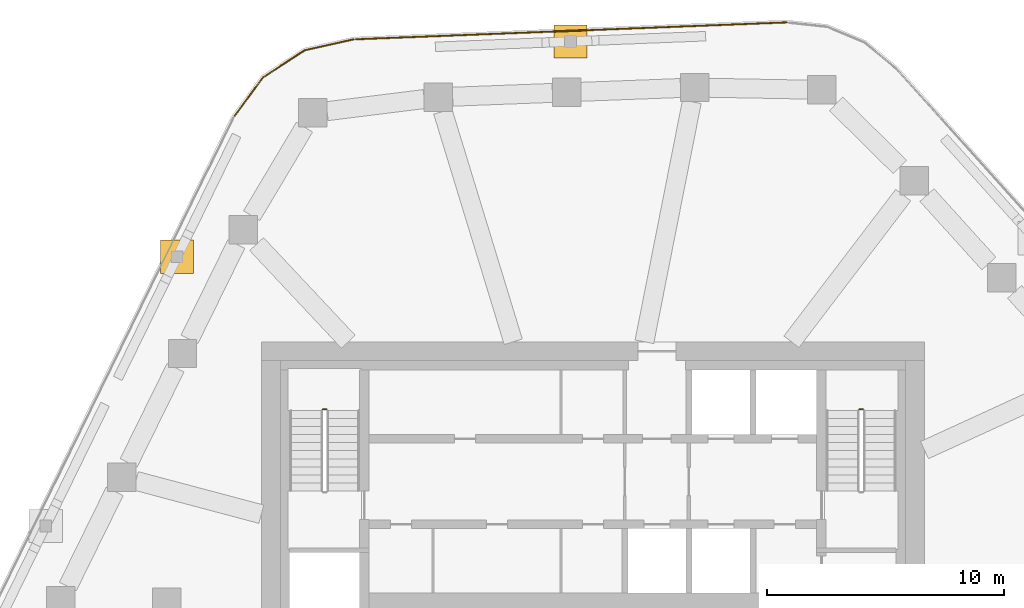
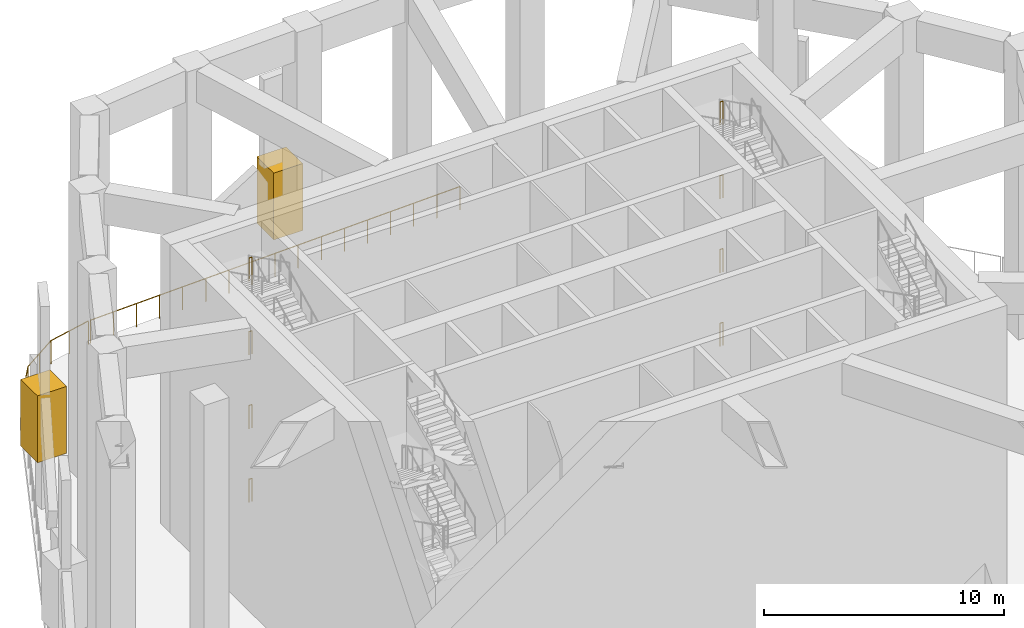
# One storey, part 11 of 12: 10 railings, 2 coverings.
"""IFC4 building model written with IfcOpenShell, lengths in metres."""

from ifc_helpers import new_model, si_unit, direction, frame, origin, origin_2d, place, context, subcontext, project, spatial, rectangle, circle, extrude, material, material_profile, profile_set, type_object, element, save


model = new_model("IFC4")

# Units and contexts
model_context = context("Model", 3, precision=1e-05, world=origin(), true_north=direction((0.0, 1.0)))
body_context = subcontext(model_context, "Body", "Model", "MODEL_VIEW")
ifc_project = project(units=[si_unit("LENGTHUNIT", "METRE"), si_unit("AREAUNIT", "SQUARE_METRE"), si_unit("VOLUMEUNIT", "CUBIC_METRE"), si_unit("PLANEANGLEUNIT", "RADIAN"), si_unit("MASSUNIT", "GRAM", prefix="KILO")], contexts=[model_context])

# Site, building, storey
site_placement = place(None, origin())
site = spatial("IfcSite", under=ifc_project, at=site_placement, CompositionType="ELEMENT")
building_placement = place(site_placement, origin())
building = spatial("IfcBuilding", under=site, at=building_placement, Name="Dongbaek Canopy Tower", CompositionType="ELEMENT")
storey_placement = place(building_placement, frame((0.0, 0.0, 183.800048828125)))
storey = spatial("IfcBuildingStorey", under=building, at=storey_placement, Name="L40", CompositionType="ELEMENT", Elevation=183.800048828125)

# Railings
ifc_material_1 = material(Name="Stainless steel", Category="steel")
railing_type_1 = type_object("IfcRailingType", Name="Slot guard 1200", PredefinedType="GUARDRAIL", material=ifc_material_1)
railing_1_placement = place(storey_placement, frame((8.177490234375, 24.48486328125, 0.0)))
element("IfcRailing", 1, at=railing_1_placement, inside=storey, type_object=railing_type_1, Name="Slot guard L40 F1", PredefinedType="GUARDRAIL", context=body_context, shape_type="SweptSolid", body=[
    extrude(circle(Radius=0.02392578125, at=origin_2d()), frame((0.0, 0.0, 1.17578125), z_axis=(-0.999231693179, -0.039192133737, 0.0), x_axis=(0.039192133737, -0.999231693179, 0.0)), (0.0, 0.0, 1.0), 18.19580078125),
    extrude(circle(Radius=0.02099609375, at=origin_2d()), origin(), (0.0, 0.0, 1.0), 1.15185546875),
    extrude(circle(Radius=0.02099609375, at=origin_2d()), frame((-1.136474609375, -0.044677734375, 0.0)), (0.0, 0.0, 1.0), 1.15185546875),
    extrude(circle(Radius=0.02099609375, at=origin_2d()), frame((-2.272705078125, -0.089111328125, 0.0)), (0.0, 0.0, 1.0), 1.15185546875),
    extrude(circle(Radius=0.02099609375, at=origin_2d()), frame((-3.4091796875, -0.1337890625, 0.0)), (0.0, 0.0, 1.0), 1.15185546875),
    extrude(circle(Radius=0.02099609375, at=origin_2d()), frame((-4.54541015625, -0.17822265625, 0.0)), (0.0, 0.0, 1.0), 1.15185546875),
    extrude(circle(Radius=0.02099609375, at=origin_2d()), frame((-5.681884765625, -0.222900390625, 0.0)), (0.0, 0.0, 1.0), 1.15185546875),
    extrude(circle(Radius=0.02099609375, at=origin_2d()), frame((-6.818115234375, -0.267333984375, 0.0)), (0.0, 0.0, 1.0), 1.15185546875),
    extrude(circle(Radius=0.02099609375, at=origin_2d()), frame((-7.95458984375, -0.31201171875, 0.0)), (0.0, 0.0, 1.0), 1.15185546875),
    extrude(circle(Radius=0.02099609375, at=origin_2d()), frame((-9.0908203125, -0.3564453125, 0.0)), (0.0, 0.0, 1.0), 1.15185546875),
    extrude(circle(Radius=0.02099609375, at=origin_2d()), frame((-10.227294921875, -0.401123046875, 0.0)), (0.0, 0.0, 1.0), 1.15185546875),
    extrude(circle(Radius=0.02099609375, at=origin_2d()), frame((-11.36376953125, -0.44580078125, 0.0)), (0.0, 0.0, 1.0), 1.15185546875),
    extrude(circle(Radius=0.02099609375, at=origin_2d()), frame((-12.5, -0.490234375, 0.0)), (0.0, 0.0, 1.0), 1.15185546875),
    extrude(circle(Radius=0.02099609375, at=origin_2d()), frame((-13.636474609375, -0.534912109375, 0.0)), (0.0, 0.0, 1.0), 1.15185546875),
    extrude(circle(Radius=0.02099609375, at=origin_2d()), frame((-14.772705078125, -0.579345703125, 0.0)), (0.0, 0.0, 1.0), 1.15185546875),
    extrude(circle(Radius=0.02099609375, at=origin_2d()), frame((-15.9091796875, -0.6240234375, 0.0)), (0.0, 0.0, 1.0), 1.15185546875),
    extrude(circle(Radius=0.02099609375, at=origin_2d()), frame((-17.04541015625, -0.66845703125, 0.0)), (0.0, 0.0, 1.0), 1.15185546875),
    extrude(circle(Radius=0.02099609375, at=origin_2d()), frame((-18.181884765625, -0.713134765625, 0.0)), (0.0, 0.0, 1.0), 1.15185546875),
])
railing_2_placement = place(storey_placement, frame((-10.104248046875, 23.767822265625, 0.0)))
element("IfcRailing", 2, at=railing_2_placement, inside=storey, type_object=railing_type_1, Name="Slot guard L40 K2", PredefinedType="GUARDRAIL", context=body_context, shape_type="SweptSolid", body=[
    extrude(circle(Radius=0.02392578125, at=origin_2d()), frame((0.0, 0.0, 1.17578125), z_axis=(-0.976176196415, -0.216979339, 0.0), x_axis=(0.216979339, -0.976176196415, 0.0)), (0.0, 0.0, 1.0), 2.115234375),
    extrude(circle(Radius=0.02392578125, at=origin_2d()), frame((-2.06494140625, -0.458984375, 1.17578125), z_axis=(-0.837730490557, -0.546083899407, 0.0), x_axis=(0.546083899407, -0.837730490557, 0.0)), (0.0, 0.0, 1.0), 2.106201171875),
    extrude(circle(Radius=0.02392578125, at=origin_2d()), frame((-3.829345703125, -1.609130859375, 1.17578125), z_axis=(-0.592413577864, -0.805634006707, 0.0), x_axis=(0.805634006707, -0.592413577864, 0.0)), (0.0, 0.0, 1.0), 2.01513671875),
    extrude(circle(Radius=0.02099609375, at=origin_2d()), origin(), (0.0, 0.0, 1.0), 1.15185546875),
    extrude(circle(Radius=0.02099609375, at=origin_2d()), frame((-1.032470703125, -0.2294921875, 0.0)), (0.0, 0.0, 1.0), 1.15185546875),
    extrude(circle(Radius=0.02099609375, at=origin_2d()), frame((-2.06494140625, -0.458984375, 0.0)), (0.0, 0.0, 1.0), 1.15185546875),
    extrude(circle(Radius=0.02099609375, at=origin_2d()), frame((-2.947265625, -1.0341796875, 0.0)), (0.0, 0.0, 1.0), 1.15185546875),
    extrude(circle(Radius=0.02099609375, at=origin_2d()), frame((-3.829345703125, -1.609130859375, 0.0)), (0.0, 0.0, 1.0), 1.15185546875),
    extrude(circle(Radius=0.02099609375, at=origin_2d()), frame((-4.42626953125, -2.4208984375, 0.0)), (0.0, 0.0, 1.0), 1.15185546875),
    extrude(circle(Radius=0.02099609375, at=origin_2d()), frame((-5.023193359375, -3.232666015625, 0.0)), (0.0, 0.0, 1.0), 1.15185546875),
])
ifc_material_2 = material(Name="Stainless steel tube and balusters", Category="steel")
railing_type_2 = type_object("IfcRailingType", Name="Stair guard 1200", PredefinedType="GUARDRAIL", material=ifc_material_2)
for number, where, name in (
    (3, (11.39990234375, 8.14990234375, 1.875), "L40 ST-A stair guard 2"),
    (4, (11.39990234375, 8.14990234375, 5.625), "L40 ST-A stair guard 6"),
    (5, (11.39990234375, 8.14990234375, 9.375), "L40 ST-A stair guard 10"),
    (6, (11.39990234375, 8.14990234375, 13.125), "L40 ST-A stair guard 14"),
    (7, (-11.25, 8.14990234375, 1.875), "L40 ST-C stair guard 2"),
    (8, (-11.25, 8.14990234375, 5.625), "L40 ST-C stair guard 6"),
    (9, (-11.25, 8.14990234375, 9.375), "L40 ST-C stair guard 10"),
    (10, (-11.25, 8.14990234375, 13.125), "L40 ST-C stair guard 14"),
):
    element("IfcRailing", number, at=place(storey_placement, frame(where)), inside=storey, type_object=railing_type_2, Name=name, PredefinedType="GUARDRAIL", context=body_context, shape_type="SweptSolid", body=[
        extrude(circle(Radius=0.02392578125, at=origin_2d()), frame((0.0, 0.0, 1.17578125), z_axis=(-1.0, 0.0, 0.0), x_axis=(0.0, -1.0, 0.0)), (0.0, 0.0, 1.0), 0.14990234375),
        extrude(circle(Radius=0.02099609375, at=origin_2d()), origin(), (0.0, 0.0, 1.0), 1.15185546875),
        extrude(circle(Radius=0.02099609375, at=origin_2d()), frame((-0.14990234375, 0.0, 0.0)), (0.0, 0.0, 1.0), 1.15185546875),
    ])

# Coverings
ifc_material_3 = material(Name="Aluminium 6063-T6 pale metal turbine rotor", Category="aluminium")
ifc_material_profile = material_profile(ifc_material_3, rectangle(XDim=1.39990234375, YDim=1.39990234375, at=origin_2d()), Name="Turbine hub 1400")
ifc_profile_set = profile_set([ifc_material_profile], Name="Aluminium 6063-T6 pale metal turbine rotor")
covering_type = type_object("IfcCoveringType", Name="Turbine hub 1400", PredefinedType="CLADDING", material=ifc_profile_set)
for number, where, z_axis, x_axis, name in (
    (11, (-0.946533203125, 23.6767578125, 2.807861328125), (0.0, 0.0, 1.0), (1.0, 0.0, 0.0), "Turbine 2 hub"),
    (12, (-17.553955078125, 14.58642578125, 2.807861328125), (0.0, 0.0, 1.0), (1.0, 0.0, 0.0), "Turbine 3 hub"),
):
    element("IfcCovering", number, at=place(storey_placement, frame(where, z_axis=z_axis, x_axis=x_axis)), inside=storey, type_object=covering_type, Name=name, PredefinedType="CLADDING", context=body_context, shape_type="SweptSolid", body=[
        extrude(rectangle(XDim=1.39990234375, YDim=1.39990234375, at=origin_2d()), origin(), (0.0, 0.0, 1.0), 3.400146484375),
    ])

save(model, "model.ifc")
